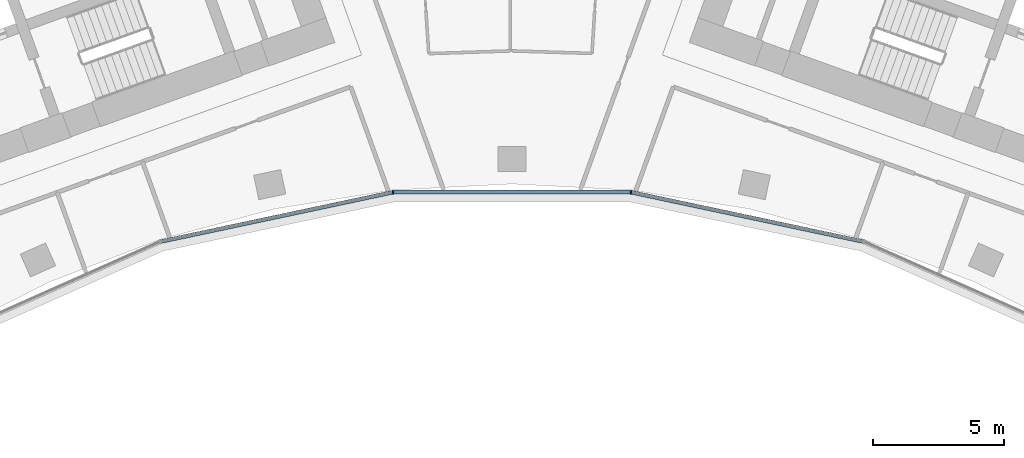
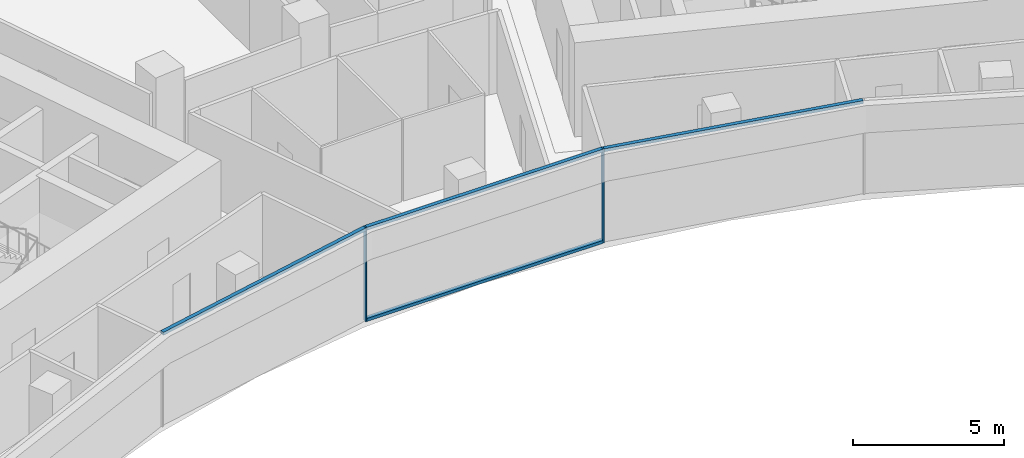
# One storey, part 5 of 19: 6 members, 1 element without a shape of its own.
"""IFC4 building model written with IfcOpenShell, lengths in metres."""

from ifc_helpers import new_model, si_unit, direction, frame, origin, origin_2d, place, context, subcontext, project, spatial, rectangle, extrude, material, layer, layer_set, material_profile, profile_set, type_object, element, aggregate, save


model = new_model("IFC4")

# Units and contexts
model_context = context("Model", 3, precision=1e-05, world=origin(), true_north=direction((0.0, 1.0)))
body_context = subcontext(model_context, "Body", "Model", "MODEL_VIEW")
ifc_project = project(units=[si_unit("LENGTHUNIT", "METRE"), si_unit("AREAUNIT", "SQUARE_METRE"), si_unit("VOLUMEUNIT", "CUBIC_METRE"), si_unit("PLANEANGLEUNIT", "RADIAN"), si_unit("MASSUNIT", "GRAM", prefix="KILO")], contexts=[model_context])

# Site, building, storey
site_placement = place(None, origin())
site = spatial("IfcSite", under=ifc_project, at=site_placement, CompositionType="ELEMENT")
building_placement = place(site_placement, origin())
building = spatial("IfcBuilding", under=site, at=building_placement, Name="Stone Belt Terrace Tower", CompositionType="ELEMENT")
storey_placement = place(building_placement, frame((0.0, 0.0, 246.60009765625)))
storey = spatial("IfcBuildingStorey", under=building, at=storey_placement, Name="L60", CompositionType="ELEMENT", Elevation=246.60009765625)

# Curtain wall, members
ifc_material = material(Name="Aluminium 6063-T6 anodised frame", Category="aluminium")
ifc_layer = layer(ifc_material, 0.14990234375)
ifc_layer_set = layer_set([ifc_layer], Name="CW-B unitised concave-face curtain wall")
curtain_wall_type = type_object("IfcCurtainWallType", Name="CW-B unitised concave-face curtain wall", PredefinedType="NOTDEFINED", material=ifc_layer_set)
curtain_wall_placement = place(storey_placement, origin())
curtain_wall = element("IfcCurtainWall", 1, at=curtain_wall_placement, inside=storey, type_object=curtain_wall_type, Name="CW-B concave face L60", PredefinedType="NOTDEFINED")
ifc_material_profile_1 = material_profile(ifc_material, rectangle(XDim=0.14990234375, YDim=0.050048828125, at=origin_2d()), Name="Aluminium 6063-T6 50x150")
ifc_profile_set_1 = profile_set([ifc_material_profile_1], Name="Aluminium 6063-T6 anodised frame")
member_type_1 = type_object("IfcMemberType", Name="CW-B mullion 50 x 150", PredefinedType="MULLION", material=ifc_profile_set_1)
member_1_placement = place(storey_placement, frame((-4.5390625, 43.186767578125, 0.0), z_axis=(0.0, 0.0, 1.0), x_axis=(-0.104528463268, 0.994521895368, 0.0)))
member_1 = element("IfcMember", 2, at=member_1_placement, type_object=member_type_1, Name="CW-B mullion 4", PredefinedType="MULLION", context=body_context, shape_type="SweptSolid", body=[
    extrude(rectangle(XDim=0.14990234375, YDim=0.050048828125, at=origin_2d()), origin(), (0.0, 0.0, 1.0), 3.7998046875),
])
member_2_placement = place(storey_placement, frame((4.5390625, 43.186767578125, 0.0), z_axis=(0.0, 0.0, 1.0), x_axis=(0.104528463268, 0.994521895368, 0.0)))
member_2 = element("IfcMember", 3, at=member_2_placement, type_object=member_type_1, Name="CW-B mullion 5", PredefinedType="MULLION", context=body_context, shape_type="SweptSolid", body=[
    extrude(rectangle(XDim=0.14990234375, YDim=0.050048828125, at=origin_2d()), origin(), (0.0, 0.0, 1.0), 3.7998046875),
])
ifc_material_profile_2 = material_profile(ifc_material, rectangle(XDim=0.14990234375, YDim=0.1201171875, at=origin_2d()), Name="Aluminium 6063-T6 150x120")
ifc_profile_set_2 = profile_set([ifc_material_profile_2], Name="Aluminium 6063-T6 anodised frame")
member_type_2 = type_object("IfcMemberType", Name="CW-B transom 120 x 150", PredefinedType="USERDEFINED", material=ifc_profile_set_2)
member_3_placement = place(storey_placement, frame((-13.386962890625, 41.30615234375, 3.739990234375), z_axis=(0.9781499003, 0.207900871914, 0.0), x_axis=(-0.207900871914, 0.9781499003, 0.0)))
member_3 = element("IfcMember", 4, at=member_3_placement, type_object=member_type_2, Name="CW-B transom 3.1", ObjectType="TRANSOM", PredefinedType="USERDEFINED", context=body_context, shape_type="SweptSolid", body=[
    extrude(rectangle(XDim=0.14990234375, YDim=0.1201171875, at=origin_2d()), origin(), (0.0, 0.0, 1.0), 9.012939453125),
])
member_4_placement = place(storey_placement, frame((-4.50634765625, 43.186767578125, 0.059814453125), z_axis=(1.0, 0.0, 0.0), x_axis=(0.0, 1.0, 0.0)))
member_4 = element("IfcMember", 5, at=member_4_placement, type_object=member_type_2, Name="CW-B transom 4.1", ObjectType="TRANSOM", PredefinedType="USERDEFINED", context=body_context, shape_type="SweptSolid", body=[
    extrude(rectangle(XDim=0.14990234375, YDim=0.1201171875, at=origin_2d()), origin(), (0.0, 0.0, 1.0), 9.0126953125),
])
member_5_placement = place(storey_placement, frame((-4.50634765625, 43.186767578125, 3.739990234375), z_axis=(1.0, 0.0, 0.0), x_axis=(0.0, 1.0, 0.0)))
member_5 = element("IfcMember", 6, at=member_5_placement, type_object=member_type_2, Name="CW-B transom 4.2", ObjectType="TRANSOM", PredefinedType="USERDEFINED", context=body_context, shape_type="SweptSolid", body=[
    extrude(rectangle(XDim=0.14990234375, YDim=0.1201171875, at=origin_2d()), origin(), (0.0, 0.0, 1.0), 9.0126953125),
])
member_6_placement = place(storey_placement, frame((4.571044921875, 43.179931640625, 3.739990234375), z_axis=(0.9781499003, -0.207900871914, 0.0), x_axis=(0.207900871914, 0.9781499003, 0.0)))
member_6 = element("IfcMember", 7, at=member_6_placement, type_object=member_type_2, Name="CW-B transom 5.1", ObjectType="TRANSOM", PredefinedType="USERDEFINED", context=body_context, shape_type="SweptSolid", body=[
    extrude(rectangle(XDim=0.14990234375, YDim=0.1201171875, at=origin_2d()), origin(), (0.0, 0.0, 1.0), 9.012939453125),
])
aggregate(curtain_wall, [member_1, member_2, member_3, member_4, member_5, member_6])

save(model, "model.ifc")
